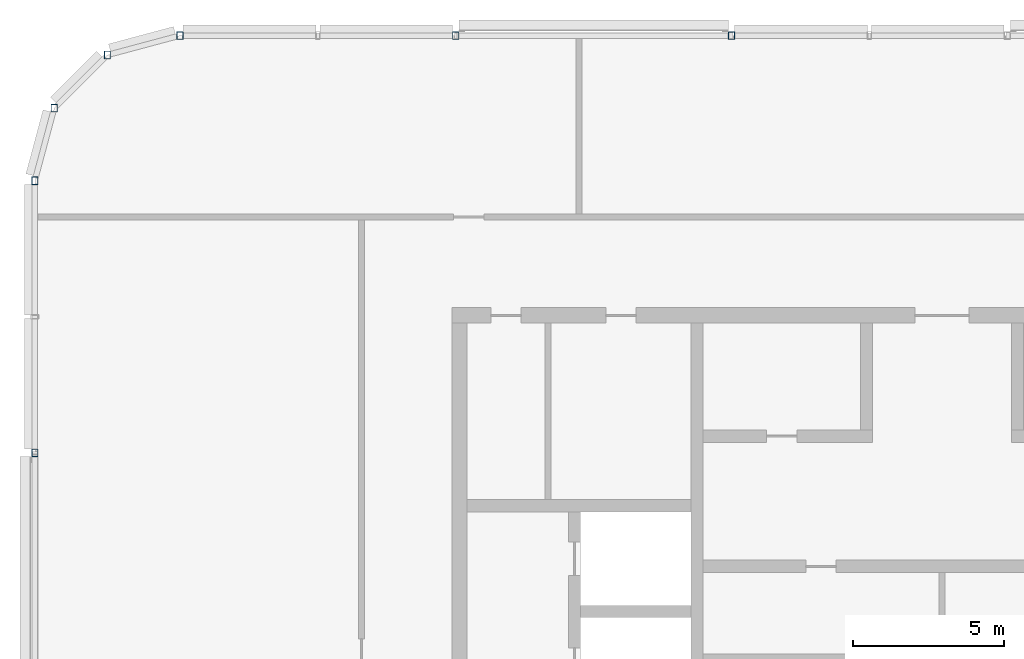
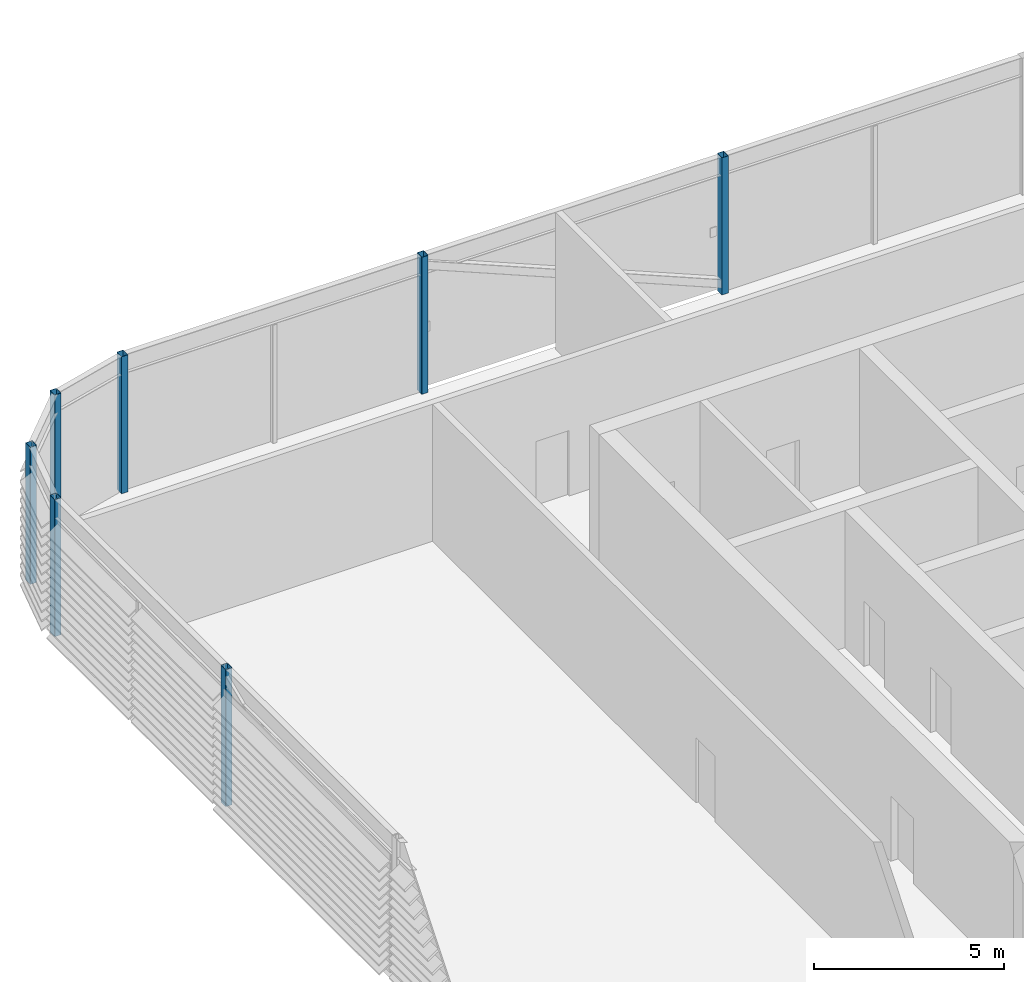
# One storey, part 3 of 27: 7 columns.
"""IFC4 building model written with IfcOpenShell, lengths in metres."""

import ifcopenshell
import ifcopenshell.guid

model = None  # the IFC model being written
_history = None  # IfcOwnerHistory: only IFC2X3 demands one
_inside = {}  # id of a spatial element -> (the spatial element, [elements in it])
_under = {}  # id of a project, library or spatial element -> (it, [spatial elements below it])
_declared = {}  # id of a project -> (the project, [libraries it declares])
_typed = {}  # id of a type object -> (the type object, [elements of that type])
_made_of = {}  # id of a material, layer set ... -> (it, [elements and type objects made of it])


def new_model(schema):
    """Start an empty IFC model of exactly this schema.

    Asked for "IFC4X3", IfcOpenShell would pick the latest addendum, in which some entities
    have other attributes; the version numbers below select the first issue.
    IFC2X3 requires an IfcOwnerHistory on every rooted entity: one is made here for all.
    """
    global model, _history
    if schema == "IFC4X3":
        model = ifcopenshell.file(schema_version=(4, 3, 0, 0))
    else:
        model = ifcopenshell.file(schema=schema)
    _inside.clear()
    _under.clear()
    _declared.clear()
    _typed.clear()
    _made_of.clear()
    _history = None
    if model.schema == "IFC2X3":
        org = make("IfcOrganization", Name="unknown")
        user = make(
            "IfcPersonAndOrganization",
            ThePerson=make("IfcPerson", FamilyName="unknown"),
            TheOrganization=org,
        )
        app = make(
            "IfcApplication",
            ApplicationDeveloper=org,
            Version="unknown",
            ApplicationFullName="unknown",
            ApplicationIdentifier="unknown",
        )
        _history = make(
            "IfcOwnerHistory",
            OwningUser=user,
            OwningApplication=app,
            ChangeAction="ADDED",
            CreationDate=0,
        )
    return model


def make(cls, **values):
    """One entity of the class cls with the attributes given. An attribute that is None is left unset."""
    return model.create_entity(
        cls, **{name: value for name, value in values.items() if value is not None}
    )


def rooted(cls, **values):
    """An entity with a GlobalId (a new one), such as an element, a storey or a relation."""
    return make(cls, GlobalId=ifcopenshell.guid.new(), OwnerHistory=_history, **values)


def si_unit(unit_type, name, prefix=None):
    """IfcSIUnit, for example si_unit("LENGTHUNIT", "METRE", prefix="MILLI")."""
    return make("IfcSIUnit", UnitType=unit_type, Prefix=prefix, Name=name)


def assignment(units):
    """IfcUnitAssignment: the units of a project."""
    return None if units is None else make("IfcUnitAssignment", Units=units)


def point(xyz):
    """IfcCartesianPoint."""
    return None if xyz is None else make("IfcCartesianPoint", Coordinates=xyz)


def direction(xyz):
    """IfcDirection."""
    return None if xyz is None else make("IfcDirection", DirectionRatios=xyz)


def frame(location, z_axis=None, x_axis=None):
    """IfcAxis2Placement3D, a coordinate frame: its origin and axes. An axis left out is left unset."""
    return make(
        "IfcAxis2Placement3D",
        Location=point(location),
        Axis=direction(z_axis),
        RefDirection=direction(x_axis),
    )


def frame_2d(location, x_axis=None):
    """IfcAxis2Placement2D, a coordinate frame in the plane: its origin and x axis."""
    return make(
        "IfcAxis2Placement2D", Location=point(location), RefDirection=direction(x_axis)
    )


def origin():
    """The frame at (0, 0, 0) with its axes left unset."""
    return frame((0.0, 0.0, 0.0))


def origin_2d():
    """The frame at (0, 0) in the plane with its x axis left unset."""
    return frame_2d((0.0, 0.0))


def place(relative_to, where):
    """IfcLocalPlacement: puts the frame where relative to a parent placement (None: the world)."""
    return make(
        "IfcLocalPlacement", PlacementRelTo=relative_to, RelativePlacement=where
    )


def context(
    kind, dimensions, precision=None, world=None, true_north=None, identifier=None
):
    """IfcGeometricRepresentationContext, for example the 3D "Model" context."""
    return make(
        "IfcGeometricRepresentationContext",
        ContextIdentifier=identifier,
        ContextType=kind,
        CoordinateSpaceDimension=dimensions,
        Precision=precision,
        WorldCoordinateSystem=world,
        TrueNorth=true_north,
    )


def subcontext(parent, identifier, kind, view, scale=None):
    """IfcGeometricRepresentationSubContext, for example "Body" below "Model"."""
    return make(
        "IfcGeometricRepresentationSubContext",
        ContextIdentifier=identifier,
        ContextType=kind,
        ParentContext=parent,
        TargetScale=scale,
        TargetView=view,
    )


def project(units=None, contexts=None):
    """IfcProject with its units and contexts."""
    return rooted(
        "IfcProject",
        Name="project",
        RepresentationContexts=contexts,
        UnitsInContext=assignment(units),
    )


def spatial(cls, under=None, at=None, **own):
    """A site, building, storey or space (cls), placed at a placement, below another one or the project."""
    s = rooted(cls, ObjectPlacement=at, **own)
    if under is not None:
        _under.setdefault(under.id(), (under, []))[1].append(s)
    return s


def profile(cls, at=None, kind="AREA", **sizes):
    """A parametric profile (cls). Its sizes go by their IFC names, for example OverallWidth=200.0."""
    return make(cls, ProfileType=kind, Position=at, **sizes)


def hollow_rectangle(**sizes):
    """IfcRectangleHollowProfileDef."""
    return profile("IfcRectangleHollowProfileDef", **sizes)


def extrude(swept, where, along, depth):
    """IfcExtrudedAreaSolid: the profile swept, set in the frame where, extruded along a direction by depth."""
    return make(
        "IfcExtrudedAreaSolid",
        SweptArea=swept,
        Position=where,
        ExtrudedDirection=direction(along),
        Depth=depth,
    )


def shape(context_of_items, identifier, shape_type, items):
    """IfcShapeRepresentation: the items that make up one representation, for example the "Body"."""
    return make(
        "IfcShapeRepresentation",
        ContextOfItems=context_of_items,
        RepresentationIdentifier=identifier,
        RepresentationType=shape_type,
        Items=items,
    )


def material(Name=None, Category=None):
    """IfcMaterial."""
    return make("IfcMaterial", Name=Name, Category=Category)


def material_profile(
    of_material, cross_section, Name=None, Category=None, Priority=None
):
    """IfcMaterialProfile: a cross section and its material."""
    return make(
        "IfcMaterialProfile",
        Name=Name,
        Material=of_material,
        Profile=cross_section,
        Priority=Priority,
        Category=Category,
    )


def profile_set(profiles, Name=None, composite=None):
    """IfcMaterialProfileSet."""
    return make(
        "IfcMaterialProfileSet",
        Name=Name,
        MaterialProfiles=profiles,
        CompositeProfile=composite,
    )


def made_of(thing, what):
    """Note that an element or type object is made of a material, layer set ...; save() writes the relation."""
    if what is not None:
        _made_of.setdefault(what.id(), (what, []))[1].append(thing)
    return thing


def type_object(cls, material=None, **own):
    """A type object (cls), such as IfcWallType, which elements share."""
    return made_of(rooted(cls, **own), material)


def element(
    cls,
    number,
    at=None,
    inside=None,
    cuts=None,
    type_object=None,
    material=None,
    context=None,
    identifier="Body",
    shape_type=None,
    held_by="IfcProductDefinitionShape",
    body=None,
    shapes=None,
    **own,
):
    """One element of the class cls, such as IfcWall. Its Tag is "e" and its number.

    at: its placement. inside: the storey or other place that contains it. cuts: it is an
    opening in that element (IfcRelVoidsElement). A single representation is given by context,
    identifier, shape_type and body (its items); several are given by shapes. held_by: the class
    of the entity that holds the representations. save() writes the other relations.
    """
    e = rooted(cls, Tag="e%d" % number, ObjectPlacement=at, **own)
    if body is not None:
        shapes = [shape(context, identifier, shape_type, body)]
    if shapes is not None:
        e.Representation = make(held_by, Representations=shapes)
    if inside is not None:
        _inside.setdefault(inside.id(), (inside, []))[1].append(e)
    if cuts is not None:
        rooted(
            "IfcRelVoidsElement", RelatingBuildingElement=cuts, RelatedOpeningElement=e
        )
    if type_object is not None:
        _typed.setdefault(type_object.id(), (type_object, []))[1].append(e)
    return made_of(e, material)


def aggregate(whole, parts):
    """IfcRelAggregates: a whole, such as a stair, and the parts it consists of."""
    return rooted("IfcRelAggregates", RelatingObject=whole, RelatedObjects=parts)


def save(model, path):
    """Write the relations noted so far, then the file.

    IfcRelAggregates (storeys below a building ...), IfcRelContainedInSpatialStructure (elements
    in a storey), IfcRelDefinesByType, IfcRelAssociatesMaterial and IfcRelDeclares: one each for
    every whole, place, type object, material and project.
    """
    for whole, parts in _under.values():
        aggregate(whole, parts)
    for where, things in _inside.values():
        rooted(
            "IfcRelContainedInSpatialStructure",
            RelatedElements=things,
            RelatingStructure=where,
        )
    for kind, things in _typed.values():
        rooted("IfcRelDefinesByType", RelatedObjects=things, RelatingType=kind)
    for what, things in _made_of.values():
        rooted("IfcRelAssociatesMaterial", RelatedObjects=things, RelatingMaterial=what)
    for by, libraries in _declared.values():
        rooted("IfcRelDeclares", RelatingContext=by, RelatedDefinitions=libraries)
    model.write(path)


model = new_model("IFC4")

# Units and contexts
model_context = context("Model", 3, precision=1e-05, world=origin(), true_north=direction((0.0, 1.0)))
body_context = subcontext(model_context, "Body", "Model", "MODEL_VIEW")
ifc_project = project(units=[si_unit("LENGTHUNIT", "METRE"), si_unit("AREAUNIT", "SQUARE_METRE"), si_unit("VOLUMEUNIT", "CUBIC_METRE"), si_unit("PLANEANGLEUNIT", "RADIAN"), si_unit("MASSUNIT", "GRAM", prefix="KILO")], contexts=[model_context])

# Site, building, storey
site_placement = place(None, origin())
site = spatial("IfcSite", under=ifc_project, at=site_placement, CompositionType="ELEMENT")
building_placement = place(site_placement, origin())
building = spatial("IfcBuilding", under=site, at=building_placement, Name="Madar Terraces", CompositionType="ELEMENT")
storey_placement = place(building_placement, frame((0.0, 0.0, 301.10009765625)))
storey = spatial("IfcBuildingStorey", under=building, at=storey_placement, Name="L78", CompositionType="ELEMENT", Elevation=301.10009765625)

# Columns
ifc_material = material(Name="Steel ASTM A500 Grade C", Category="steel")
ifc_material_profile = material_profile(ifc_material, hollow_rectangle(XDim=0.203125, YDim=0.25390625, WallThickness=0.009521484375, InnerFilletRadius=0.00439453125, OuterFilletRadius=0.01318359375, at=origin_2d()), Name="HSS10x8x.375")
ifc_profile_set = profile_set([ifc_material_profile], Name="Steel ASTM A500 Grade C")
column_type = type_object("IfcColumnType", Name="CF1 HSS10x8x.375", PredefinedType="COLUMN", material=ifc_profile_set)
for number, where, z_axis, x_axis, name in (
    (1, (24.239990234375, 46.800048828125, 0.0), (0.0, 0.0, 1.0), (1.0, 0.0, 0.0), "Crown frame column CF1"),
    (2, (15.1201171875, 46.800048828125, 0.0), (0.0, 0.0, 1.0), (1.0, 0.0, 0.0), "Crown frame column CF1"),
    (3, (6.0, 46.800048828125, 0.0), (0.0, 0.0, 1.0), (1.0, 0.0, 0.0), "Crown frame column CF1"),
    (4, (3.60009765625, 46.156982421875, 0.0), (0.0, 0.0, 1.0), (1.0, 0.0, 0.0), "Crown frame column CF1"),
    (5, (1.843017578125, 44.39990234375, 0.0), (0.0, 0.0, 1.0), (1.0, 0.0, 0.0), "Crown frame column CF1"),
    (6, (1.199951171875, 42.0, 0.0), (0.0, 0.0, 1.0), (1.0, 0.0, 0.0), "Crown frame column CF1"),
    (7, (1.199951171875, 33.0, 0.0), (0.0, 0.0, 1.0), (1.0, 0.0, 0.0), "Crown frame column CF1"),
):
    element("IfcColumn", number, at=place(storey_placement, frame(where, z_axis=z_axis, x_axis=x_axis)), inside=storey, type_object=column_type, Name=name, PredefinedType="COLUMN", context=body_context, shape_type="SweptSolid", body=[
        extrude(hollow_rectangle(XDim=0.203125, YDim=0.25390625, WallThickness=0.009521484375, InnerFilletRadius=0.00439453125, OuterFilletRadius=0.01318359375, at=origin_2d()), origin(), (0.0, 0.0, 1.0), 4.39990234375),
    ])

save(model, "model.ifc")
